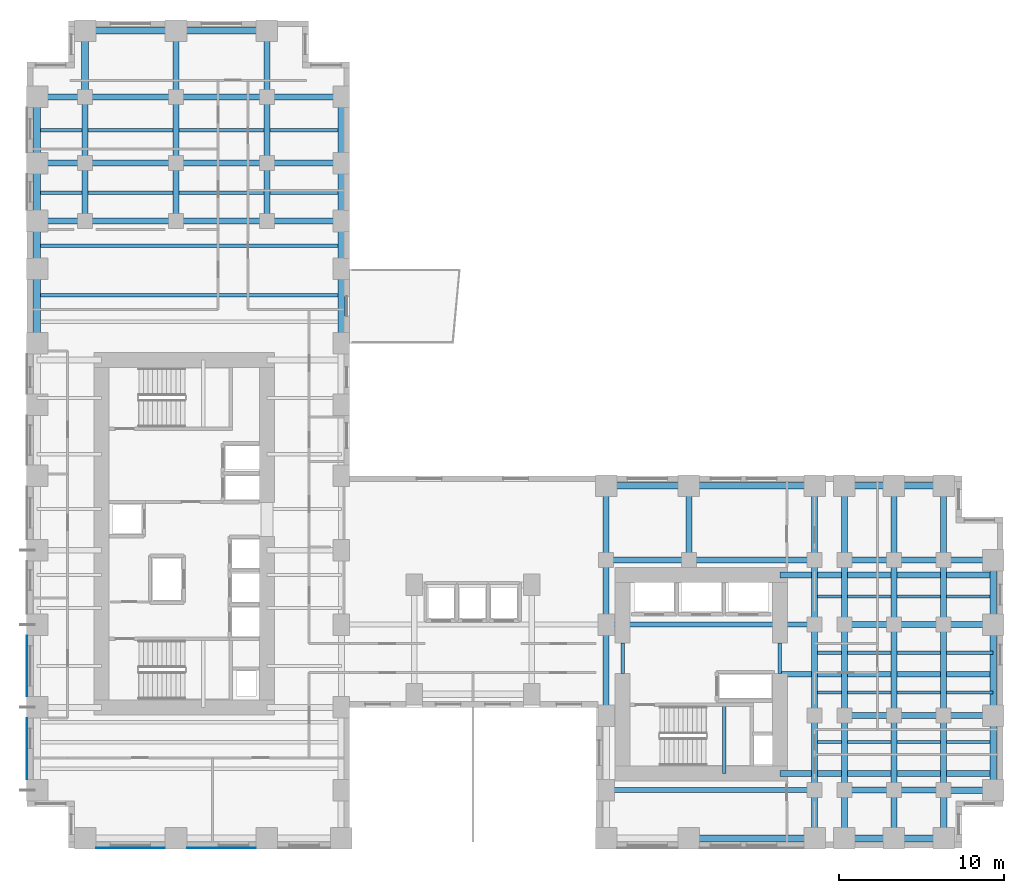
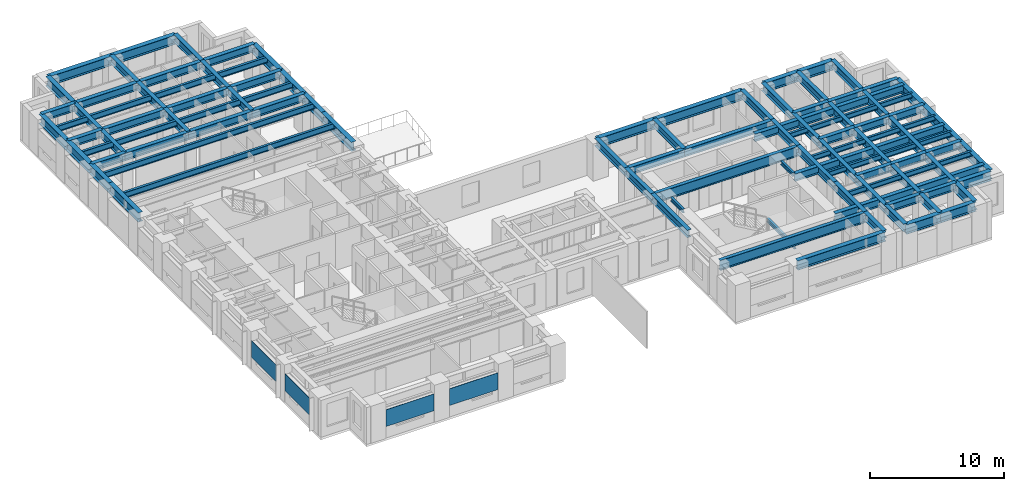
# One storey, part 2 of 12: 95 beams, 4 plates.
"""IFC4 building model written with IfcOpenShell, lengths in metres."""

from ifc_helpers import new_model, si_unit, direction, frame, origin, origin_2d, place, context, subcontext, project, spatial, rectangle, i_section, extrude, source, transform, mapped, material, layer, layer_set, material_profile, profile_set, type_object, element, save


model = new_model("IFC4")

# Units and contexts
model_context = context("Model", 3, precision=1e-05, world=origin(), true_north=direction((0.0, 1.0)))
body_context = subcontext(model_context, "Body", "Model", "MODEL_VIEW")
ifc_project = project(units=[si_unit("LENGTHUNIT", "METRE"), si_unit("AREAUNIT", "SQUARE_METRE"), si_unit("VOLUMEUNIT", "CUBIC_METRE"), si_unit("PLANEANGLEUNIT", "RADIAN"), si_unit("MASSUNIT", "GRAM", prefix="KILO")], contexts=[model_context])

# Site, building, storey
site_placement = place(None, origin())
site = spatial("IfcSite", under=ifc_project, at=site_placement, CompositionType="ELEMENT")
building_placement = place(site_placement, origin())
building = spatial("IfcBuilding", under=site, at=building_placement, Name="Kharzan Plaza Tower", CompositionType="ELEMENT")
storey_placement = place(building_placement, frame((0.0, 0.0, 26.10009765625)))
storey = spatial("IfcBuildingStorey", under=building, at=storey_placement, Name="L06", CompositionType="ELEMENT", Elevation=26.10009765625)

# Beams
ifc_material_1 = material(Name="Steel S355", Category="steel")
ifc_material_profile_1 = material_profile(ifc_material_1, i_section(OverallWidth=0.205078125, OverallDepth=0.35400390625, WebThickness=0.009521484375, FlangeThickness=0.016845703125, at=origin_2d()), Name="W360x79")
ifc_profile_set_1 = profile_set([ifc_material_profile_1], Name="Steel S355")
beam_type_1 = type_object("IfcBeamType", Name="BM-LNT360", PredefinedType="LINTEL", material=ifc_profile_set_1)
shared_shape_1 = source(origin(), body_context, "Body", "SweptSolid", [
    extrude(i_section(OverallWidth=0.205078125, OverallDepth=0.35400390625, WebThickness=0.009521484375, FlangeThickness=0.016845703125, at=origin_2d()), origin(), (0.0, 0.0, 1.0), 1.849853515625),
])
for number, where, z_axis, x_axis, name in (
    (1, (45.5, 10.550048828125, 3.202880859375), (0.0, 1.0, 0.0), (-1.0, 0.0, 0.0), "L06 CORE-B coupling lintel LN1-WE"),
    (2, (36.0, 10.550048828125, 3.202880859375), (0.0, 1.0, 0.0), (-1.0, 0.0, 0.0), "L06 CORE-B coupling lintel LN1-WW"),
):
    element("IfcBeam", number, at=place(storey_placement, frame(where, z_axis=z_axis, x_axis=x_axis)), inside=storey, type_object=beam_type_1, Name=name, PredefinedType="LINTEL", context=body_context, shape_type="MappedRepresentation", body=[
        mapped(shared_shape_1, transform((0.0, 0.0, 0.0), x_axis=(1.0, 0.0, 0.0), y_axis=(0.0, 1.0, 0.0), z_axis=(0.0, 0.0, 1.0))),
    ])
shared_shape_2 = source(origin(), body_context, "Body", "SweptSolid", [
    extrude(i_section(OverallWidth=0.205078125, OverallDepth=0.35400390625, WebThickness=0.009521484375, FlangeThickness=0.016845703125, at=origin_2d()), origin(), (0.0, 0.0, 1.0), 4.155029296875),
])
beam_1_placement = place(storey_placement, frame((42.14990234375, 4.5, 1.4228515625), z_axis=(0.0, 1.0, 0.0), x_axis=(-1.0, 0.0, 0.0)))
element("IfcBeam", 3, at=beam_1_placement, inside=storey, type_object=beam_type_1, Name="L06 Stair ST-3 Half-Landing Beam", PredefinedType="LINTEL", context=body_context, shape_type="MappedRepresentation", body=[
    mapped(shared_shape_2, transform((0.0, 0.0, 0.0), x_axis=(1.0, 0.0, 0.0), y_axis=(0.0, 1.0, 0.0), z_axis=(0.0, 0.0, 1.0))),
])
ifc_material_profile_2 = material_profile(ifc_material_1, i_section(OverallWidth=0.304931640625, OverallDepth=0.9189453125, WebThickness=0.017333984375, FlangeThickness=0.02783203125, at=origin_2d()), Name="W920x253")
ifc_profile_set_2 = profile_set([ifc_material_profile_2], Name="Steel S355")
beam_type_2 = type_object("IfcBeamType", Name="BM-FG920B", PredefinedType="BEAM", material=ifc_profile_set_2)
shared_shape_3 = source(origin(), body_context, "Body", "SweptSolid", [
    extrude(i_section(OverallWidth=0.304931640625, OverallDepth=0.9189453125, WebThickness=0.017333984375, FlangeThickness=0.02783203125, at=origin_2d()), origin(), (0.0, 0.0, 1.0), 12.60009765625),
])
for number, where, z_axis, x_axis, name in (
    (4, (35.0, 3.5, 2.92041015625), (1.0, 0.0, 0.0), (0.0, 1.0, 0.0), "L06 Primary Floor Girder"),
    (5, (35.0, 13.5, 2.92041015625), (1.0, 0.0, 0.0), (0.0, 1.0, 0.0), "L06 Primary Floor Girder"),
):
    element("IfcBeam", number, at=place(storey_placement, frame(where, z_axis=z_axis, x_axis=x_axis)), inside=storey, type_object=beam_type_2, Name=name, PredefinedType="BEAM", context=body_context, shape_type="MappedRepresentation", body=[
        mapped(shared_shape_3, transform((0.0, 0.0, 0.0), x_axis=(1.0, 0.0, 0.0), y_axis=(0.0, 1.0, 0.0), z_axis=(0.0, 0.0, 1.0))),
    ])
ifc_material_profile_3 = material_profile(ifc_material_1, i_section(OverallWidth=0.35498046875, OverallDepth=0.695068359375, WebThickness=0.015380859375, FlangeThickness=0.02490234375, at=origin_2d()), Name="W690x217")
ifc_profile_set_3 = profile_set([ifc_material_profile_3], Name="Steel S355")
beam_type_3 = type_object("IfcBeamType", Name="BM-FG690A", PredefinedType="BEAM", material=ifc_profile_set_3)
shared_shape_4 = source(origin(), body_context, "Body", "SweptSolid", [
    extrude(i_section(OverallWidth=0.35498046875, OverallDepth=0.695068359375, WebThickness=0.015380859375, FlangeThickness=0.02490234375, at=origin_2d()), origin(), (0.0, 0.0, 1.0), 4.5),
])
for number, where, z_axis, x_axis, name in (
    (6, (35.0, 17.39990234375, 3.032470703125), (0.0, 1.0, 0.0), (-1.0, 0.0, 0.0), "L06 Interior Frame Girder"),
    (7, (40.0, 17.39990234375, 3.032470703125), (0.0, 1.0, 0.0), (-1.0, 0.0, 0.0), "L06 Interior Frame Girder"),
    (8, (47.60009765625, 3.5, 3.032470703125), (0.0, 1.0, 0.0), (-1.0, 0.0, 0.0), "L06 Interior Frame Girder"),
    (9, (47.60009765625, 17.39990234375, 3.032470703125), (0.0, 1.0, 0.0), (-1.0, 0.0, 0.0), "L06 Interior Frame Girder"),
    (10, (49.39990234375, 3.5, 3.032470703125), (0.0, 1.0, 0.0), (-1.0, 0.0, 0.0), "L06 Interior Frame Girder"),
    (11, (49.39990234375, 17.39990234375, 3.032470703125), (0.0, 1.0, 0.0), (-1.0, 0.0, 0.0), "L06 Interior Frame Girder"),
    (12, (52.39990234375, 3.5, 3.032470703125), (0.0, 1.0, 0.0), (-1.0, 0.0, 0.0), "L06 Interior Frame Girder"),
    (13, (52.39990234375, 17.39990234375, 3.032470703125), (0.0, 1.0, 0.0), (-1.0, 0.0, 0.0), "L06 Interior Frame Girder"),
    (14, (55.39990234375, 3.5, 3.032470703125), (0.0, 1.0, 0.0), (-1.0, 0.0, 0.0), "L06 Interior Frame Girder"),
    (15, (55.39990234375, 17.39990234375, 3.032470703125), (0.0, 1.0, 0.0), (-1.0, 0.0, 0.0), "L06 Interior Frame Girder"),
    (16, (14.5, 41.39990234375, 3.032470703125), (1.0, 0.0, 0.0), (0.0, 1.0, 0.0), "L06 Primary Floor Girder"),
    (17, (14.5, 45.39990234375, 3.032470703125), (1.0, 0.0, 0.0), (0.0, 1.0, 0.0), "L06 Primary Floor Girder"),
    (18, (14.5, 37.89990234375, 3.032470703125), (1.0, 0.0, 0.0), (0.0, 1.0, 0.0), "L06 Primary Floor Girder"),
):
    element("IfcBeam", number, at=place(storey_placement, frame(where, z_axis=z_axis, x_axis=x_axis)), inside=storey, type_object=beam_type_3, Name=name, PredefinedType="BEAM", context=body_context, shape_type="MappedRepresentation", body=[
        mapped(shared_shape_4, transform((0.0, 0.0, 0.0), x_axis=(1.0, 0.0, 0.0), y_axis=(0.0, 1.0, 0.0), z_axis=(0.0, 0.0, 1.0))),
    ])
shared_shape_5 = source(origin(), body_context, "Body", "SweptSolid", [
    extrude(i_section(OverallWidth=0.35498046875, OverallDepth=0.695068359375, WebThickness=0.015380859375, FlangeThickness=0.02490234375, at=origin_2d()), origin(), (0.0, 0.0, 1.0), 3.89990234375),
])
for number, where, z_axis, x_axis, name in (
    (19, (35.0, 13.5, 3.032470703125), (0.0, 1.0, 0.0), (-1.0, 0.0, 0.0), "L06 Interior Frame Girder"),
    (20, (47.60009765625, 13.5, 3.032470703125), (0.0, 1.0, 0.0), (-1.0, 0.0, 0.0), "L06 Interior Frame Girder"),
    (21, (49.39990234375, 13.5, 3.032470703125), (0.0, 1.0, 0.0), (-1.0, 0.0, 0.0), "L06 Interior Frame Girder"),
    (22, (52.39990234375, 13.5, 3.032470703125), (0.0, 1.0, 0.0), (-1.0, 0.0, 0.0), "L06 Interior Frame Girder"),
    (23, (55.39990234375, 13.5, 3.032470703125), (0.0, 1.0, 0.0), (-1.0, 0.0, 0.0), "L06 Interior Frame Girder"),
):
    element("IfcBeam", number, at=place(storey_placement, frame(where, z_axis=z_axis, x_axis=x_axis)), inside=storey, type_object=beam_type_3, Name=name, PredefinedType="BEAM", context=body_context, shape_type="MappedRepresentation", body=[
        mapped(shared_shape_5, transform((0.0, 0.0, 0.0), x_axis=(1.0, 0.0, 0.0), y_axis=(0.0, 1.0, 0.0), z_axis=(0.0, 0.0, 1.0))),
    ])
shared_shape_6 = source(origin(), body_context, "Body", "SweptSolid", [
    extrude(i_section(OverallWidth=0.35498046875, OverallDepth=0.695068359375, WebThickness=0.015380859375, FlangeThickness=0.02490234375, at=origin_2d()), origin(), (0.0, 0.0, 1.0), 12.89990234375),
])
for number, where, z_axis, x_axis, name in (
    (24, (45.5, 4.5, 3.032470703125), (1.0, 0.0, 0.0), (0.0, 1.0, 0.0), "L06 Core-B East Floor Girder 1"),
    (25, (45.5, 10.5, 3.032470703125), (1.0, 0.0, 0.0), (0.0, 1.0, 0.0), "L06 Core-B East Floor Girder 2"),
    (26, (45.5, 16.5, 3.032470703125), (1.0, 0.0, 0.0), (0.0, 1.0, 0.0), "L06 Core-B East Floor Girder 3"),
):
    element("IfcBeam", number, at=place(storey_placement, frame(where, z_axis=z_axis, x_axis=x_axis)), inside=storey, type_object=beam_type_3, Name=name, PredefinedType="BEAM", context=body_context, shape_type="MappedRepresentation", body=[
        mapped(shared_shape_6, transform((0.0, 0.0, 0.0), x_axis=(1.0, 0.0, 0.0), y_axis=(0.0, 1.0, 0.0), z_axis=(0.0, 0.0, 1.0))),
    ])
shared_shape_7 = source(origin(), body_context, "Body", "SweptSolid", [
    extrude(i_section(OverallWidth=0.35498046875, OverallDepth=0.695068359375, WebThickness=0.015380859375, FlangeThickness=0.02490234375, at=origin_2d()), origin(), (0.0, 0.0, 1.0), 3.5),
])
for number, where, z_axis, x_axis, name in (
    (27, (3.5, 37.89990234375, 3.032470703125), (0.0, 1.0, 0.0), (-1.0, 0.0, 0.0), "L06 Interior Frame Girder"),
    (28, (9.0, 37.89990234375, 3.032470703125), (0.0, 1.0, 0.0), (-1.0, 0.0, 0.0), "L06 Interior Frame Girder"),
    (29, (14.5, 37.89990234375, 3.032470703125), (0.0, 1.0, 0.0), (-1.0, 0.0, 0.0), "L06 Interior Frame Girder"),
):
    element("IfcBeam", number, at=place(storey_placement, frame(where, z_axis=z_axis, x_axis=x_axis)), inside=storey, type_object=beam_type_3, Name=name, PredefinedType="BEAM", context=body_context, shape_type="MappedRepresentation", body=[
        mapped(shared_shape_7, transform((0.0, 0.0, 0.0), x_axis=(1.0, 0.0, 0.0), y_axis=(0.0, 1.0, 0.0), z_axis=(0.0, 0.0, 1.0))),
    ])
shared_shape_8 = source(origin(), body_context, "Body", "SweptSolid", [
    extrude(i_section(OverallWidth=0.35498046875, OverallDepth=0.695068359375, WebThickness=0.015380859375, FlangeThickness=0.02490234375, at=origin_2d()), origin(), (0.0, 0.0, 1.0), 4.0),
])
for number, where, z_axis, x_axis, name in (
    (30, (3.5, 41.39990234375, 3.032470703125), (0.0, 1.0, 0.0), (-1.0, 0.0, 0.0), "L06 Interior Frame Girder"),
    (31, (9.0, 41.39990234375, 3.032470703125), (0.0, 1.0, 0.0), (-1.0, 0.0, 0.0), "L06 Interior Frame Girder"),
    (32, (9.0, 45.39990234375, 3.032470703125), (0.0, 1.0, 0.0), (-1.0, 0.0, 0.0), "L06 Interior Frame Girder"),
    (33, (14.5, 41.39990234375, 3.032470703125), (0.0, 1.0, 0.0), (-1.0, 0.0, 0.0), "L06 Interior Frame Girder"),
    (34, (14.5, 45.39990234375, 3.032470703125), (0.0, 1.0, 0.0), (-1.0, 0.0, 0.0), "L06 Interior Frame Girder"),
):
    element("IfcBeam", number, at=place(storey_placement, frame(where, z_axis=z_axis, x_axis=x_axis)), inside=storey, type_object=beam_type_3, Name=name, PredefinedType="BEAM", context=body_context, shape_type="MappedRepresentation", body=[
        mapped(shared_shape_8, transform((0.0, 0.0, 0.0), x_axis=(1.0, 0.0, 0.0), y_axis=(0.0, 1.0, 0.0), z_axis=(0.0, 0.0, 1.0))),
    ])
shared_shape_9 = source(origin(), body_context, "Body", "SweptSolid", [
    extrude(i_section(OverallWidth=0.35498046875, OverallDepth=0.695068359375, WebThickness=0.015380859375, FlangeThickness=0.02490234375, at=origin_2d()), origin(), (0.0, 0.0, 1.0), 5.0),
])
beam_2_placement = place(storey_placement, frame((35.0, 17.39990234375, 3.032470703125), z_axis=(1.0, 0.0, 0.0), x_axis=(0.0, 1.0, 0.0)))
element("IfcBeam", 35, at=beam_2_placement, inside=storey, type_object=beam_type_3, Name="L06 Primary Floor Girder", PredefinedType="BEAM", context=body_context, shape_type="MappedRepresentation", body=[
    mapped(shared_shape_9, transform((0.0, 0.0, 0.0), x_axis=(1.0, 0.0, 0.0), y_axis=(0.0, 1.0, 0.0), z_axis=(0.0, 0.0, 1.0))),
])
shared_shape_10 = source(origin(), body_context, "Body", "SweptSolid", [
    extrude(i_section(OverallWidth=0.35498046875, OverallDepth=0.695068359375, WebThickness=0.015380859375, FlangeThickness=0.02490234375, at=origin_2d()), origin(), (0.0, 0.0, 1.0), 5.5),
])
for number, where, z_axis, x_axis, name in (
    (36, (35.0, 8.0, 3.032470703125), (0.0, 1.0, 0.0), (-1.0, 0.0, 0.0), "L06 Interior Frame Girder"),
    (37, (47.60009765625, 8.0, 3.032470703125), (0.0, 1.0, 0.0), (-1.0, 0.0, 0.0), "L06 Interior Frame Girder"),
    (38, (49.39990234375, 8.0, 3.032470703125), (0.0, 1.0, 0.0), (-1.0, 0.0, 0.0), "L06 Interior Frame Girder"),
    (39, (52.39990234375, 8.0, 3.032470703125), (0.0, 1.0, 0.0), (-1.0, 0.0, 0.0), "L06 Interior Frame Girder"),
    (40, (55.39990234375, 8.0, 3.032470703125), (0.0, 1.0, 0.0), (-1.0, 0.0, 0.0), "L06 Interior Frame Girder"),
    (41, (3.5, 45.39990234375, 3.032470703125), (1.0, 0.0, 0.0), (0.0, 1.0, 0.0), "L06 Primary Floor Girder"),
    (42, (9.0, 45.39990234375, 3.032470703125), (1.0, 0.0, 0.0), (0.0, 1.0, 0.0), "L06 Primary Floor Girder"),
    (43, (3.5, 37.89990234375, 3.032470703125), (1.0, 0.0, 0.0), (0.0, 1.0, 0.0), "L06 Primary Floor Girder"),
    (44, (9.0, 37.89990234375, 3.032470703125), (1.0, 0.0, 0.0), (0.0, 1.0, 0.0), "L06 Primary Floor Girder"),
    (45, (3.5, 41.39990234375, 3.032470703125), (1.0, 0.0, 0.0), (0.0, 1.0, 0.0), "L06 Primary Floor Girder"),
    (46, (9.0, 41.39990234375, 3.032470703125), (1.0, 0.0, 0.0), (0.0, 1.0, 0.0), "L06 Primary Floor Girder"),
):
    element("IfcBeam", number, at=place(storey_placement, frame(where, z_axis=z_axis, x_axis=x_axis)), inside=storey, type_object=beam_type_3, Name=name, PredefinedType="BEAM", context=body_context, shape_type="MappedRepresentation", body=[
        mapped(shared_shape_10, transform((0.0, 0.0, 0.0), x_axis=(1.0, 0.0, 0.0), y_axis=(0.0, 1.0, 0.0), z_axis=(0.0, 0.0, 1.0))),
    ])
shared_shape_11 = source(origin(), body_context, "Body", "SweptSolid", [
    extrude(i_section(OverallWidth=0.35498046875, OverallDepth=0.695068359375, WebThickness=0.015380859375, FlangeThickness=0.02490234375, at=origin_2d()), origin(), (0.0, 0.0, 1.0), 2.89990234375),
])
for number, where, z_axis, x_axis, name in (
    (47, (47.60009765625, 0.60009765625, 3.032470703125), (0.0, 1.0, 0.0), (-1.0, 0.0, 0.0), "L06 Interior Frame Girder"),
    (48, (49.39990234375, 0.60009765625, 3.032470703125), (0.0, 1.0, 0.0), (-1.0, 0.0, 0.0), "L06 Interior Frame Girder"),
    (49, (52.39990234375, 0.60009765625, 3.032470703125), (0.0, 1.0, 0.0), (-1.0, 0.0, 0.0), "L06 Interior Frame Girder"),
    (50, (0.60009765625, 45.39990234375, 3.032470703125), (1.0, 0.0, 0.0), (0.0, 1.0, 0.0), "L06 Primary Floor Girder"),
    (51, (0.60009765625, 37.89990234375, 3.032470703125), (1.0, 0.0, 0.0), (0.0, 1.0, 0.0), "L06 Primary Floor Girder"),
    (52, (0.60009765625, 41.39990234375, 3.032470703125), (1.0, 0.0, 0.0), (0.0, 1.0, 0.0), "L06 Primary Floor Girder"),
):
    element("IfcBeam", number, at=place(storey_placement, frame(where, z_axis=z_axis, x_axis=x_axis)), inside=storey, type_object=beam_type_3, Name=name, PredefinedType="BEAM", context=body_context, shape_type="MappedRepresentation", body=[
        mapped(shared_shape_11, transform((0.0, 0.0, 0.0), x_axis=(1.0, 0.0, 0.0), y_axis=(0.0, 1.0, 0.0), z_axis=(0.0, 0.0, 1.0))),
    ])
shared_shape_12 = source(origin(), body_context, "Body", "SweptSolid", [
    extrude(i_section(OverallWidth=0.35498046875, OverallDepth=0.695068359375, WebThickness=0.015380859375, FlangeThickness=0.02490234375, at=origin_2d()), origin(), (0.0, 0.0, 1.0), 3.0),
])
for number, where, z_axis, x_axis, name in (
    (53, (49.39990234375, 3.5, 3.032470703125), (1.0, 0.0, 0.0), (0.0, 1.0, 0.0), "L06 Primary Floor Girder"),
    (54, (52.39990234375, 3.5, 3.032470703125), (1.0, 0.0, 0.0), (0.0, 1.0, 0.0), "L06 Primary Floor Girder"),
    (55, (49.39990234375, 8.0, 3.032470703125), (1.0, 0.0, 0.0), (0.0, 1.0, 0.0), "L06 Primary Floor Girder"),
    (56, (52.39990234375, 8.0, 3.032470703125), (1.0, 0.0, 0.0), (0.0, 1.0, 0.0), "L06 Primary Floor Girder"),
    (57, (55.39990234375, 8.0, 3.032470703125), (1.0, 0.0, 0.0), (0.0, 1.0, 0.0), "L06 Primary Floor Girder"),
    (58, (49.39990234375, 13.5, 3.032470703125), (1.0, 0.0, 0.0), (0.0, 1.0, 0.0), "L06 Primary Floor Girder"),
    (59, (52.39990234375, 13.5, 3.032470703125), (1.0, 0.0, 0.0), (0.0, 1.0, 0.0), "L06 Primary Floor Girder"),
    (60, (55.39990234375, 13.5, 3.032470703125), (1.0, 0.0, 0.0), (0.0, 1.0, 0.0), "L06 Primary Floor Girder"),
    (61, (49.39990234375, 17.39990234375, 3.032470703125), (1.0, 0.0, 0.0), (0.0, 1.0, 0.0), "L06 Primary Floor Girder"),
    (62, (52.39990234375, 17.39990234375, 3.032470703125), (1.0, 0.0, 0.0), (0.0, 1.0, 0.0), "L06 Primary Floor Girder"),
    (63, (55.39990234375, 17.39990234375, 3.032470703125), (1.0, 0.0, 0.0), (0.0, 1.0, 0.0), "L06 Primary Floor Girder"),
):
    element("IfcBeam", number, at=place(storey_placement, frame(where, z_axis=z_axis, x_axis=x_axis)), inside=storey, type_object=beam_type_3, Name=name, PredefinedType="BEAM", context=body_context, shape_type="MappedRepresentation", body=[
        mapped(shared_shape_12, transform((0.0, 0.0, 0.0), x_axis=(1.0, 0.0, 0.0), y_axis=(0.0, 1.0, 0.0), z_axis=(0.0, 0.0, 1.0))),
    ])
shared_shape_13 = source(origin(), body_context, "Body", "SweptSolid", [
    extrude(i_section(OverallWidth=0.35498046875, OverallDepth=0.695068359375, WebThickness=0.015380859375, FlangeThickness=0.02490234375, at=origin_2d()), origin(), (0.0, 0.0, 1.0), 7.60009765625),
])
beam_3_placement = place(storey_placement, frame((40.0, 17.39990234375, 3.032470703125), z_axis=(1.0, 0.0, 0.0), x_axis=(0.0, 1.0, 0.0)))
element("IfcBeam", 64, at=beam_3_placement, inside=storey, type_object=beam_type_3, Name="L06 Primary Floor Girder", PredefinedType="BEAM", context=body_context, shape_type="MappedRepresentation", body=[
    mapped(shared_shape_13, transform((0.0, 0.0, 0.0), x_axis=(1.0, 0.0, 0.0), y_axis=(0.0, 1.0, 0.0), z_axis=(0.0, 0.0, 1.0))),
])
ifc_material_profile_4 = material_profile(ifc_material_1, i_section(OverallWidth=0.2099609375, OverallDepth=0.537109375, WebThickness=0.010986328125, FlangeThickness=0.017333984375, at=origin_2d()), Name="W530x101")
ifc_profile_set_4 = profile_set([ifc_material_profile_4], Name="Steel S355")
beam_type_4 = type_object("IfcBeamType", Name="BM-JST530B", PredefinedType="JOIST", material=ifc_profile_set_4)
shared_shape_14 = source(origin(), body_context, "Body", "SweptSolid", [
    extrude(i_section(OverallWidth=0.2099609375, OverallDepth=0.537109375, WebThickness=0.010986328125, FlangeThickness=0.017333984375, at=origin_2d()), origin(), (0.0, 0.0, 1.0), 18.39990234375),
])
for number, where, z_axis, x_axis, name in (
    (65, (0.60009765625, 33.39990234375, 3.111328125), (1.0, 0.0, 0.0), (0.0, 1.0, 0.0), "L06 Wing A Composite Joist 05"),
    (66, (0.60009765625, 36.39990234375, 3.111328125), (1.0, 0.0, 0.0), (0.0, 1.0, 0.0), "L06 Wing A Composite Joist 06"),
    (67, (0.60009765625, 39.60009765625, 3.111328125), (1.0, 0.0, 0.0), (0.0, 1.0, 0.0), "L06 Wing A Composite Joist 07"),
    (68, (0.60009765625, 43.39990234375, 3.111328125), (1.0, 0.0, 0.0), (0.0, 1.0, 0.0), "L06 Wing A Composite Joist 08"),
):
    element("IfcBeam", number, at=place(storey_placement, frame(where, z_axis=z_axis, x_axis=x_axis)), inside=storey, type_object=beam_type_4, Name=name, PredefinedType="JOIST", context=body_context, shape_type="MappedRepresentation", body=[
        mapped(shared_shape_14, transform((0.0, 0.0, 0.0), x_axis=(1.0, 0.0, 0.0), y_axis=(0.0, 1.0, 0.0), z_axis=(0.0, 0.0, 1.0))),
    ])
ifc_material_profile_5 = material_profile(ifc_material_1, i_section(OverallWidth=0.194091796875, OverallDepth=0.468994140625, WebThickness=0.011474609375, FlangeThickness=0.0205078125, at=origin_2d()), Name="W460x106")
ifc_profile_set_5 = profile_set([ifc_material_profile_5], Name="Steel S355")
beam_type_5 = type_object("IfcBeamType", Name="BM-JST460", PredefinedType="JOIST", material=ifc_profile_set_5)
shared_shape_15 = source(origin(), body_context, "Body", "SweptSolid", [
    extrude(i_section(OverallWidth=0.194091796875, OverallDepth=0.468994140625, WebThickness=0.011474609375, FlangeThickness=0.0205078125, at=origin_2d()), origin(), (0.0, 0.0, 1.0), 10.7998046875),
])
for number, where, z_axis, x_axis, name in (
    (69, (47.60009765625, 6.39990234375, 3.1455078125), (1.0, 0.0, 0.0), (0.0, 1.0, 0.0), "L06 Wing B Composite Joist 02"),
    (70, (47.60009765625, 9.39990234375, 3.1455078125), (1.0, 0.0, 0.0), (0.0, 1.0, 0.0), "L06 Wing B Composite Joist 03"),
    (71, (47.60009765625, 11.800048828125, 3.1455078125), (1.0, 0.0, 0.0), (0.0, 1.0, 0.0), "L06 Wing B Composite Joist 04"),
    (72, (47.60009765625, 15.199951171875, 3.1455078125), (1.0, 0.0, 0.0), (0.0, 1.0, 0.0), "L06 Wing B Composite Joist 05"),
):
    element("IfcBeam", number, at=place(storey_placement, frame(where, z_axis=z_axis, x_axis=x_axis)), inside=storey, type_object=beam_type_5, Name=name, PredefinedType="JOIST", context=body_context, shape_type="MappedRepresentation", body=[
        mapped(shared_shape_15, transform((0.0, 0.0, 0.0), x_axis=(1.0, 0.0, 0.0), y_axis=(0.0, 1.0, 0.0), z_axis=(0.0, 0.0, 1.0))),
    ])
ifc_material_profile_6 = material_profile(ifc_material_1, i_section(OverallWidth=0.40087890625, OverallDepth=0.85498046875, WebThickness=0.018310546875, FlangeThickness=0.029296875, at=origin_2d()), Name="W840x299")
ifc_profile_set_6 = profile_set([ifc_material_profile_6], Name="Steel S355")
beam_type_6 = type_object("IfcBeamType", Name="BM-SP840A", PredefinedType="SPANDREL", material=ifc_profile_set_6)
shared_shape_16 = source(origin(), body_context, "Body", "SweptSolid", [
    extrude(i_section(OverallWidth=0.40087890625, OverallDepth=0.85498046875, WebThickness=0.018310546875, FlangeThickness=0.029296875, at=origin_2d()), origin(), (0.0, 0.0, 1.0), 5.0),
])
beam_4_placement = place(storey_placement, frame((35.0, 21.89990234375, 2.952392578125), z_axis=(1.0, 0.0, 0.0), x_axis=(0.0, 1.0, 0.0)))
element("IfcBeam", 73, at=beam_4_placement, inside=storey, type_object=beam_type_6, Name="L06 Perimeter Tube Spandrel", PredefinedType="SPANDREL", context=body_context, shape_type="MappedRepresentation", body=[
    mapped(shared_shape_16, transform((0.0, 0.0, 0.0), x_axis=(1.0, 0.0, 0.0), y_axis=(0.0, 1.0, 0.0), z_axis=(0.0, 0.0, 1.0))),
])
shared_shape_17 = source(origin(), body_context, "Body", "SweptSolid", [
    extrude(i_section(OverallWidth=0.40087890625, OverallDepth=0.85498046875, WebThickness=0.018310546875, FlangeThickness=0.029296875, at=origin_2d()), origin(), (0.0, 0.0, 1.0), 4.5),
])
for number, where, z_axis, x_axis, name in (
    (74, (0.60009765625, 30.5, 2.952392578125), (0.0, 1.0, 0.0), (-1.0, 0.0, 0.0), "L06 Perimeter Tube Spandrel"),
    (75, (19.0, 30.5, 2.952392578125), (0.0, 1.0, 0.0), (-1.0, 0.0, 0.0), "L06 Perimeter Tube Spandrel"),
    (76, (58.39990234375, 3.5, 2.952392578125), (0.0, 1.0, 0.0), (-1.0, 0.0, 0.0), "L06 Perimeter Tube Spandrel"),
):
    element("IfcBeam", number, at=place(storey_placement, frame(where, z_axis=z_axis, x_axis=x_axis)), inside=storey, type_object=beam_type_6, Name=name, PredefinedType="SPANDREL", context=body_context, shape_type="MappedRepresentation", body=[
        mapped(shared_shape_17, transform((0.0, 0.0, 0.0), x_axis=(1.0, 0.0, 0.0), y_axis=(0.0, 1.0, 0.0), z_axis=(0.0, 0.0, 1.0))),
    ])
shared_shape_18 = source(origin(), body_context, "Body", "SweptSolid", [
    extrude(i_section(OverallWidth=0.40087890625, OverallDepth=0.85498046875, WebThickness=0.018310546875, FlangeThickness=0.029296875, at=origin_2d()), origin(), (0.0, 0.0, 1.0), 2.89990234375),
])
for number, where, z_axis, x_axis, name in (
    (77, (0.60009765625, 35.0, 2.952392578125), (0.0, 1.0, 0.0), (-1.0, 0.0, 0.0), "L06 Perimeter Tube Spandrel"),
    (78, (19.0, 35.0, 2.952392578125), (0.0, 1.0, 0.0), (-1.0, 0.0, 0.0), "L06 Perimeter Tube Spandrel"),
    (79, (55.39990234375, 0.60009765625, 2.952392578125), (0.0, 1.0, 0.0), (-1.0, 0.0, 0.0), "L06 Perimeter Tube Spandrel"),
):
    element("IfcBeam", number, at=place(storey_placement, frame(where, z_axis=z_axis, x_axis=x_axis)), inside=storey, type_object=beam_type_6, Name=name, PredefinedType="SPANDREL", context=body_context, shape_type="MappedRepresentation", body=[
        mapped(shared_shape_18, transform((0.0, 0.0, 0.0), x_axis=(1.0, 0.0, 0.0), y_axis=(0.0, 1.0, 0.0), z_axis=(0.0, 0.0, 1.0))),
    ])
shared_shape_19 = source(origin(), body_context, "Body", "SweptSolid", [
    extrude(i_section(OverallWidth=0.40087890625, OverallDepth=0.85498046875, WebThickness=0.018310546875, FlangeThickness=0.029296875, at=origin_2d()), origin(), (0.0, 0.0, 1.0), 3.5),
])
for number, where, z_axis, x_axis, name in (
    (80, (0.60009765625, 37.89990234375, 2.952392578125), (0.0, 1.0, 0.0), (-1.0, 0.0, 0.0), "L06 Perimeter Tube Spandrel"),
    (81, (19.0, 37.89990234375, 2.952392578125), (0.0, 1.0, 0.0), (-1.0, 0.0, 0.0), "L06 Perimeter Tube Spandrel"),
):
    element("IfcBeam", number, at=place(storey_placement, frame(where, z_axis=z_axis, x_axis=x_axis)), inside=storey, type_object=beam_type_6, Name=name, PredefinedType="SPANDREL", context=body_context, shape_type="MappedRepresentation", body=[
        mapped(shared_shape_19, transform((0.0, 0.0, 0.0), x_axis=(1.0, 0.0, 0.0), y_axis=(0.0, 1.0, 0.0), z_axis=(0.0, 0.0, 1.0))),
    ])
shared_shape_20 = source(origin(), body_context, "Body", "SweptSolid", [
    extrude(i_section(OverallWidth=0.40087890625, OverallDepth=0.85498046875, WebThickness=0.018310546875, FlangeThickness=0.029296875, at=origin_2d()), origin(), (0.0, 0.0, 1.0), 4.0),
])
for number, where, z_axis, x_axis, name in (
    (82, (0.60009765625, 41.39990234375, 2.952392578125), (0.0, 1.0, 0.0), (-1.0, 0.0, 0.0), "L06 Perimeter Tube Spandrel"),
    (83, (3.5, 45.39990234375, 2.952392578125), (0.0, 1.0, 0.0), (-1.0, 0.0, 0.0), "L06 Perimeter Tube Spandrel"),
    (84, (19.0, 41.39990234375, 2.952392578125), (0.0, 1.0, 0.0), (-1.0, 0.0, 0.0), "L06 Perimeter Tube Spandrel"),
):
    element("IfcBeam", number, at=place(storey_placement, frame(where, z_axis=z_axis, x_axis=x_axis)), inside=storey, type_object=beam_type_6, Name=name, PredefinedType="SPANDREL", context=body_context, shape_type="MappedRepresentation", body=[
        mapped(shared_shape_20, transform((0.0, 0.0, 0.0), x_axis=(1.0, 0.0, 0.0), y_axis=(0.0, 1.0, 0.0), z_axis=(0.0, 0.0, 1.0))),
    ])
shared_shape_21 = source(origin(), body_context, "Body", "SweptSolid", [
    extrude(i_section(OverallWidth=0.40087890625, OverallDepth=0.85498046875, WebThickness=0.018310546875, FlangeThickness=0.029296875, at=origin_2d()), origin(), (0.0, 0.0, 1.0), 5.5),
])
for number, where, z_axis, x_axis, name in (
    (85, (58.39990234375, 8.0, 2.952392578125), (0.0, 1.0, 0.0), (-1.0, 0.0, 0.0), "L06 Perimeter Tube Spandrel"),
    (86, (3.5, 49.39990234375, 2.952392578125), (1.0, 0.0, 0.0), (0.0, 1.0, 0.0), "L06 Perimeter Tube Spandrel"),
    (87, (9.0, 49.39990234375, 2.952392578125), (1.0, 0.0, 0.0), (0.0, 1.0, 0.0), "L06 Perimeter Tube Spandrel"),
):
    element("IfcBeam", number, at=place(storey_placement, frame(where, z_axis=z_axis, x_axis=x_axis)), inside=storey, type_object=beam_type_6, Name=name, PredefinedType="SPANDREL", context=body_context, shape_type="MappedRepresentation", body=[
        mapped(shared_shape_21, transform((0.0, 0.0, 0.0), x_axis=(1.0, 0.0, 0.0), y_axis=(0.0, 1.0, 0.0), z_axis=(0.0, 0.0, 1.0))),
    ])
shared_shape_22 = source(origin(), body_context, "Body", "SweptSolid", [
    extrude(i_section(OverallWidth=0.40087890625, OverallDepth=0.85498046875, WebThickness=0.018310546875, FlangeThickness=0.029296875, at=origin_2d()), origin(), (0.0, 0.0, 1.0), 3.89990234375),
])
beam_5_placement = place(storey_placement, frame((58.39990234375, 13.5, 2.952392578125), z_axis=(0.0, 1.0, 0.0), x_axis=(-1.0, 0.0, 0.0)))
element("IfcBeam", 88, at=beam_5_placement, inside=storey, type_object=beam_type_6, Name="L06 Perimeter Tube Spandrel", PredefinedType="SPANDREL", context=body_context, shape_type="MappedRepresentation", body=[
    mapped(shared_shape_22, transform((0.0, 0.0, 0.0), x_axis=(1.0, 0.0, 0.0), y_axis=(0.0, 1.0, 0.0), z_axis=(0.0, 0.0, 1.0))),
])
shared_shape_23 = source(origin(), body_context, "Body", "SweptSolid", [
    extrude(i_section(OverallWidth=0.40087890625, OverallDepth=0.85498046875, WebThickness=0.018310546875, FlangeThickness=0.029296875, at=origin_2d()), origin(), (0.0, 0.0, 1.0), 7.60009765625),
])
for number, where, z_axis, x_axis, name in (
    (89, (40.0, 0.60009765625, 2.952392578125), (1.0, 0.0, 0.0), (0.0, 1.0, 0.0), "L06 Perimeter Tube Spandrel"),
    (90, (40.0, 21.89990234375, 2.952392578125), (1.0, 0.0, 0.0), (0.0, 1.0, 0.0), "L06 Perimeter Tube Spandrel"),
):
    element("IfcBeam", number, at=place(storey_placement, frame(where, z_axis=z_axis, x_axis=x_axis)), inside=storey, type_object=beam_type_6, Name=name, PredefinedType="SPANDREL", context=body_context, shape_type="MappedRepresentation", body=[
        mapped(shared_shape_23, transform((0.0, 0.0, 0.0), x_axis=(1.0, 0.0, 0.0), y_axis=(0.0, 1.0, 0.0), z_axis=(0.0, 0.0, 1.0))),
    ])
shared_shape_24 = source(origin(), body_context, "Body", "SweptSolid", [
    extrude(i_section(OverallWidth=0.40087890625, OverallDepth=0.85498046875, WebThickness=0.018310546875, FlangeThickness=0.029296875, at=origin_2d()), origin(), (0.0, 0.0, 1.0), 3.0),
])
for number, where, z_axis, x_axis, name in (
    (91, (49.39990234375, 0.60009765625, 2.952392578125), (1.0, 0.0, 0.0), (0.0, 1.0, 0.0), "L06 Perimeter Tube Spandrel"),
    (92, (52.39990234375, 0.60009765625, 2.952392578125), (1.0, 0.0, 0.0), (0.0, 1.0, 0.0), "L06 Perimeter Tube Spandrel"),
    (93, (55.39990234375, 3.5, 2.952392578125), (1.0, 0.0, 0.0), (0.0, 1.0, 0.0), "L06 Perimeter Tube Spandrel"),
    (94, (49.39990234375, 21.89990234375, 2.952392578125), (1.0, 0.0, 0.0), (0.0, 1.0, 0.0), "L06 Perimeter Tube Spandrel"),
    (95, (52.39990234375, 21.89990234375, 2.952392578125), (1.0, 0.0, 0.0), (0.0, 1.0, 0.0), "L06 Perimeter Tube Spandrel"),
):
    element("IfcBeam", number, at=place(storey_placement, frame(where, z_axis=z_axis, x_axis=x_axis)), inside=storey, type_object=beam_type_6, Name=name, PredefinedType="SPANDREL", context=body_context, shape_type="MappedRepresentation", body=[
        mapped(shared_shape_24, transform((0.0, 0.0, 0.0), x_axis=(1.0, 0.0, 0.0), y_axis=(0.0, 1.0, 0.0), z_axis=(0.0, 0.0, 1.0))),
    ])

# Plates
ifc_material_2 = material(Name="Perforated Bronze-Anodized Aluminium", Category="aluminium")
ifc_layer = layer(ifc_material_2, 0.030029296875)
ifc_layer_set = layer_set([ifc_layer], Name="Perforated Bronze-Anodized Aluminium")
plate_type = type_object("IfcPlateType", Name="PLT-MASH-SCREEN", PredefinedType="SHEET", material=ifc_layer_set)
shared_shape_25 = source(origin(), body_context, "Body", "SweptSolid", [
    extrude(rectangle(XDim=3.6640625, YDim=0.030029296875, at=origin_2d()), origin(), (0.0, 0.0, 1.0), 1.530029296875),
])
for number, where, z_axis, x_axis, name in (
    (96, (-0.012939453125, 11.0, 1.06494140625), (0.0, 0.0, 1.0), (0.0, -1.0, 0.0), "L06 Perforated Mashrabiya Solar Screen"),
    (97, (-0.012939453125, 6.0, 1.06494140625), (0.0, 0.0, 1.0), (0.0, -1.0, 0.0), "L06 Perforated Mashrabiya Solar Screen"),
):
    element("IfcPlate", number, at=place(storey_placement, frame(where, z_axis=z_axis, x_axis=x_axis)), inside=storey, type_object=plate_type, Name=name, PredefinedType="SHEET", context=body_context, shape_type="MappedRepresentation", body=[
        mapped(shared_shape_25, transform((0.0, 0.0, 0.0), x_axis=(1.0, 0.0, 0.0), y_axis=(0.0, 1.0, 0.0), z_axis=(0.0, 0.0, 1.0))),
    ])
shared_shape_26 = source(origin(), body_context, "Body", "SweptSolid", [
    extrude(rectangle(XDim=4.1640625, YDim=0.030029296875, at=origin_2d()), origin(), (0.0, 0.0, 1.0), 1.530029296875),
])
for number, where, z_axis, x_axis, name in (
    (98, (6.25, -0.012939453125, 1.06494140625), (0.0, 0.0, 1.0), (1.0, 0.0, 0.0), "L06 Perforated Mashrabiya Solar Screen"),
    (99, (11.75, -0.012939453125, 1.06494140625), (0.0, 0.0, 1.0), (1.0, 0.0, 0.0), "L06 Perforated Mashrabiya Solar Screen"),
):
    element("IfcPlate", number, at=place(storey_placement, frame(where, z_axis=z_axis, x_axis=x_axis)), inside=storey, type_object=plate_type, Name=name, PredefinedType="SHEET", context=body_context, shape_type="MappedRepresentation", body=[
        mapped(shared_shape_26, transform((0.0, 0.0, 0.0), x_axis=(1.0, 0.0, 0.0), y_axis=(0.0, 1.0, 0.0), z_axis=(0.0, 0.0, 1.0))),
    ])

save(model, "model.ifc")
